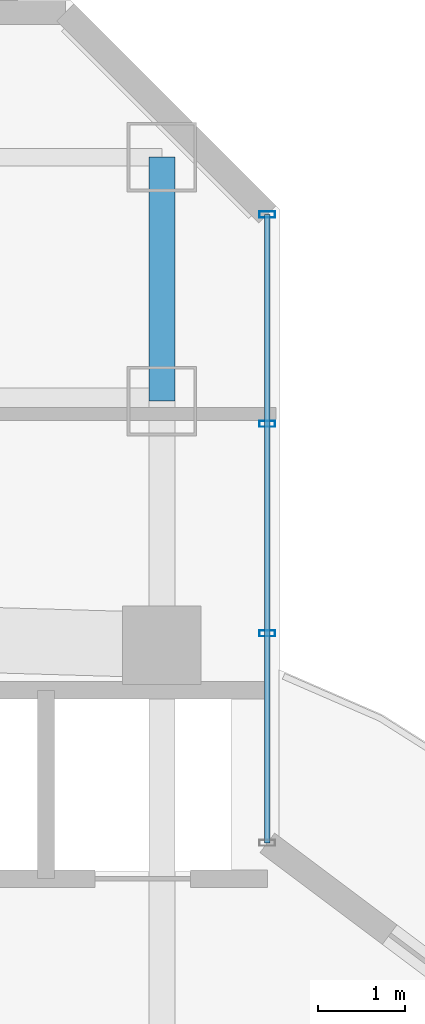
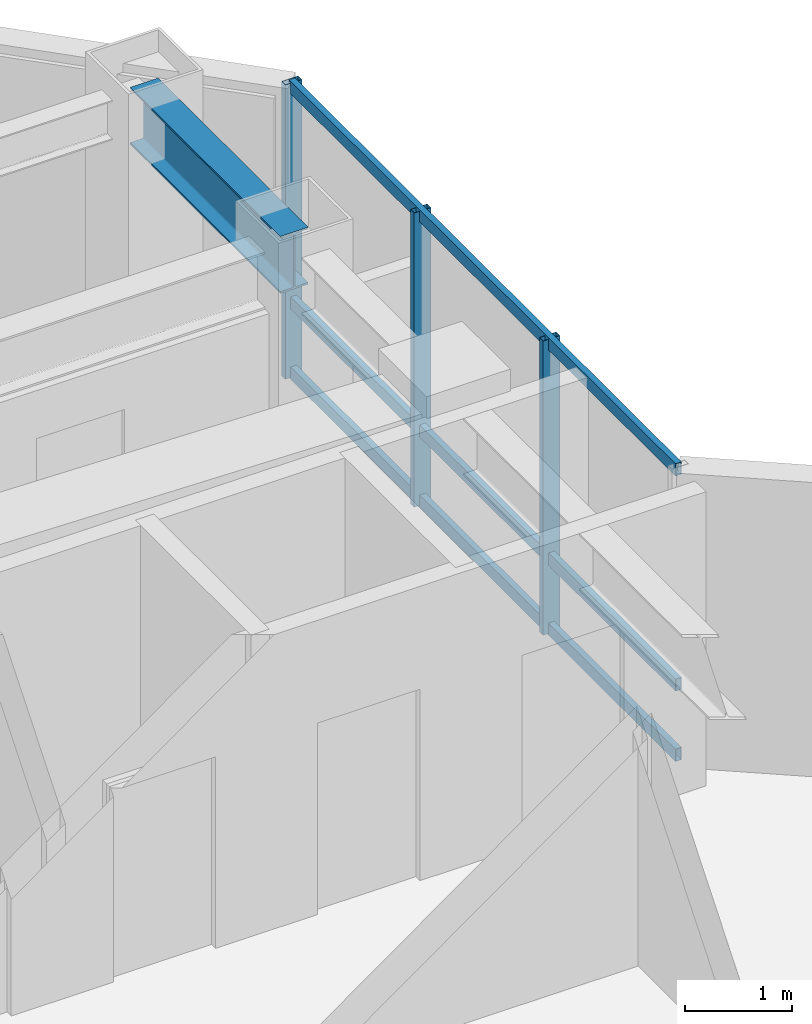
# One storey, part 19 of 27: 6 members, 1 beam, 1 element without a shape of its own.
"""IFC4 building model written with IfcOpenShell, lengths in metres."""

from ifc_helpers import new_model, si_unit, direction, frame, origin, origin_2d, place, context, subcontext, project, spatial, hollow_rectangle, i_section, extrude, material, layer, layer_set, material_profile, profile_set, type_object, element, aggregate, save


model = new_model("IFC4")

# Units and contexts
model_context = context("Model", 3, precision=1e-05, world=origin(), true_north=direction((0.0, 1.0)))
body_context = subcontext(model_context, "Body", "Model", "MODEL_VIEW")
ifc_project = project(units=[si_unit("LENGTHUNIT", "METRE"), si_unit("AREAUNIT", "SQUARE_METRE"), si_unit("VOLUMEUNIT", "CUBIC_METRE"), si_unit("PLANEANGLEUNIT", "RADIAN"), si_unit("MASSUNIT", "GRAM", prefix="KILO")], contexts=[model_context])

# Site, building, storey
site_placement = place(None, origin())
site = spatial("IfcSite", under=ifc_project, at=site_placement, CompositionType="ELEMENT")
building_placement = place(site_placement, origin())
building = spatial("IfcBuilding", under=site, at=building_placement, Name="Hatsunagi Terrace Concourse", CompositionType="ELEMENT")
storey_placement = place(building_placement, frame((0.0, 0.0, 163.64990234375)))
storey = spatial("IfcBuildingStorey", under=building, at=storey_placement, Name="L43", CompositionType="ELEMENT", Elevation=163.64990234375)

# Curtain wall, members
ifc_material_1 = material(Name="Anodised Aluminium Alloy 6063-T5", Category="aluminium")
ifc_layer = layer(ifc_material_1, 0.199951171875)
ifc_layer_set = layer_set([ifc_layer], Name="OfficeZone1_CW03")
curtain_wall_type = type_object("IfcCurtainWallType", Name="OfficeZone1_CW03", PredefinedType="NOTDEFINED", material=ifc_layer_set)
curtain_wall_placement = place(storey_placement, origin())
curtain_wall = element("IfcCurtainWall", 1, at=curtain_wall_placement, inside=storey, type_object=curtain_wall_type, Name="Unitised Curtain Wall CW-03 CW-L43-13", PredefinedType="NOTDEFINED")
ifc_material_2 = material(Name="Anodised Aluminium Alloy 6063-T5", Category="aluminium")
ifc_material_profile_1 = material_profile(ifc_material_2, hollow_rectangle(XDim=0.070068359375, YDim=0.179931640625, WallThickness=0.00390625, at=origin_2d()), Name="ALU-MUL-180x70x4")
ifc_profile_set_1 = profile_set([ifc_material_profile_1], Name="Anodised Aluminium Alloy 6063-T5")
member_type_1 = type_object("IfcMemberType", Name="CurtainWallMullion_180x70", PredefinedType="MULLION", material=ifc_profile_set_1)
member_1_placement = place(storey_placement, frame((44.860107421875, 47.94189453125, 0.0), z_axis=(0.0, 0.0, 1.0), x_axis=(0.0, -1.0, 0.0)))
member_1 = element("IfcMember", 2, at=member_1_placement, type_object=member_type_1, Name="Curtain Wall Mullion MUL-02", PredefinedType="MULLION", context=body_context, shape_type="SweptSolid", body=[
    extrude(hollow_rectangle(XDim=0.070068359375, YDim=0.179931640625, WallThickness=0.00390625, at=origin_2d()), origin(), (0.0, 0.0, 1.0), 3.35009765625),
])
member_2_placement = place(storey_placement, frame((44.860107421875, 45.5380859375, 0.0), z_axis=(0.0, 0.0, 1.0), x_axis=(0.0, -1.0, 0.0)))
member_2 = element("IfcMember", 3, at=member_2_placement, type_object=member_type_1, Name="Curtain Wall Mullion MUL-02", PredefinedType="MULLION", context=body_context, shape_type="SweptSolid", body=[
    extrude(hollow_rectangle(XDim=0.070068359375, YDim=0.179931640625, WallThickness=0.00390625, at=origin_2d()), origin(), (0.0, 0.0, 1.0), 3.35009765625),
])
member_3_placement = place(storey_placement, frame((44.860107421875, 43.134033203125, 0.0), z_axis=(0.0, 0.0, 1.0), x_axis=(0.0, -1.0, 0.0)))
member_3 = element("IfcMember", 4, at=member_3_placement, type_object=member_type_1, Name="Curtain Wall Mullion MUL-02", PredefinedType="MULLION", context=body_context, shape_type="SweptSolid", body=[
    extrude(hollow_rectangle(XDim=0.070068359375, YDim=0.179931640625, WallThickness=0.00390625, at=origin_2d()), origin(), (0.0, 0.0, 1.0), 3.35009765625),
])
ifc_material_3 = material(Name="Anodised Aluminium Alloy 6063-T5", Category="aluminium")
ifc_material_profile_2 = material_profile(ifc_material_3, hollow_rectangle(XDim=0.06494140625, YDim=0.139892578125, WallThickness=0.00390625, at=origin_2d()), Name="ALU-TRN-140x65x4")
ifc_profile_set_2 = profile_set([ifc_material_profile_2], Name="Anodised Aluminium Alloy 6063-T5")
member_type_2 = type_object("IfcMemberType", Name="CurtainWallTransom_140x65", PredefinedType="USERDEFINED", material=ifc_profile_set_2)
member_4_placement = place(storey_placement, frame((44.860107421875, 47.94189453125, 0.050048828125), z_axis=(0.0, -1.0, 0.0), x_axis=(1.0, 0.0, 0.0)))
member_4 = element("IfcMember", 5, at=member_4_placement, type_object=member_type_2, Name="Curtain Wall Transom TRN-02", ObjectType="TRANSOM", PredefinedType="USERDEFINED", context=body_context, shape_type="SweptSolid", body=[
    extrude(hollow_rectangle(XDim=0.06494140625, YDim=0.139892578125, WallThickness=0.00390625, at=origin_2d()), origin(), (0.0, 0.0, 1.0), 7.2119140625),
])
member_5_placement = place(storey_placement, frame((44.860107421875, 47.94189453125, 0.85009765625), z_axis=(0.0, -1.0, 0.0), x_axis=(1.0, 0.0, 0.0)))
member_5 = element("IfcMember", 6, at=member_5_placement, type_object=member_type_2, Name="Curtain Wall Transom TRN-02", ObjectType="TRANSOM", PredefinedType="USERDEFINED", context=body_context, shape_type="SweptSolid", body=[
    extrude(hollow_rectangle(XDim=0.06494140625, YDim=0.139892578125, WallThickness=0.00390625, at=origin_2d()), origin(), (0.0, 0.0, 1.0), 7.2119140625),
])
member_6_placement = place(storey_placement, frame((44.860107421875, 47.94189453125, 3.300048828125), z_axis=(0.0, -1.0, 0.0), x_axis=(1.0, 0.0, 0.0)))
member_6 = element("IfcMember", 7, at=member_6_placement, type_object=member_type_2, Name="Curtain Wall Transom TRN-02", ObjectType="TRANSOM", PredefinedType="USERDEFINED", context=body_context, shape_type="SweptSolid", body=[
    extrude(hollow_rectangle(XDim=0.06494140625, YDim=0.139892578125, WallThickness=0.00390625, at=origin_2d()), origin(), (0.0, 0.0, 1.0), 7.2119140625),
])
aggregate(curtain_wall, [member_1, member_2, member_3, member_4, member_5, member_6])

# Beam
ifc_material_4 = material(Name="Steel SN490B", Category="steel")
ifc_material_profile_3 = material_profile(ifc_material_4, i_section(OverallWidth=0.300048828125, OverallDepth=0.64990234375, WebThickness=0.012939453125, FlangeThickness=0.02197265625, FilletRadius=0.01806640625, at=origin_2d()), Name="H-650x300x13x22")
ifc_profile_set_3 = profile_set([ifc_material_profile_3], Name="Steel SN490B")
beam_type = type_object("IfcBeamType", Name="OfficeLowGirder_H_650x300", PredefinedType="BEAM", material=ifc_profile_set_3)
beam_placement = place(storey_placement, frame((43.64990234375, 45.800048828125, 3.025146484375), z_axis=(0.0, 1.0, 0.0), x_axis=(-1.0, 0.0, 0.0)))
element("IfcBeam", 8, at=beam_placement, inside=storey, type_object=beam_type, Name="Beam G-05 BM-L43-KN-WN6", PredefinedType="BEAM", context=body_context, shape_type="SweptSolid", body=[
    extrude(i_section(OverallWidth=0.300048828125, OverallDepth=0.64990234375, WebThickness=0.012939453125, FlangeThickness=0.02197265625, FilletRadius=0.01806640625, at=origin_2d()), origin(), (0.0, 0.0, 1.0), 2.800048828125),
])

save(model, "model.ifc")
